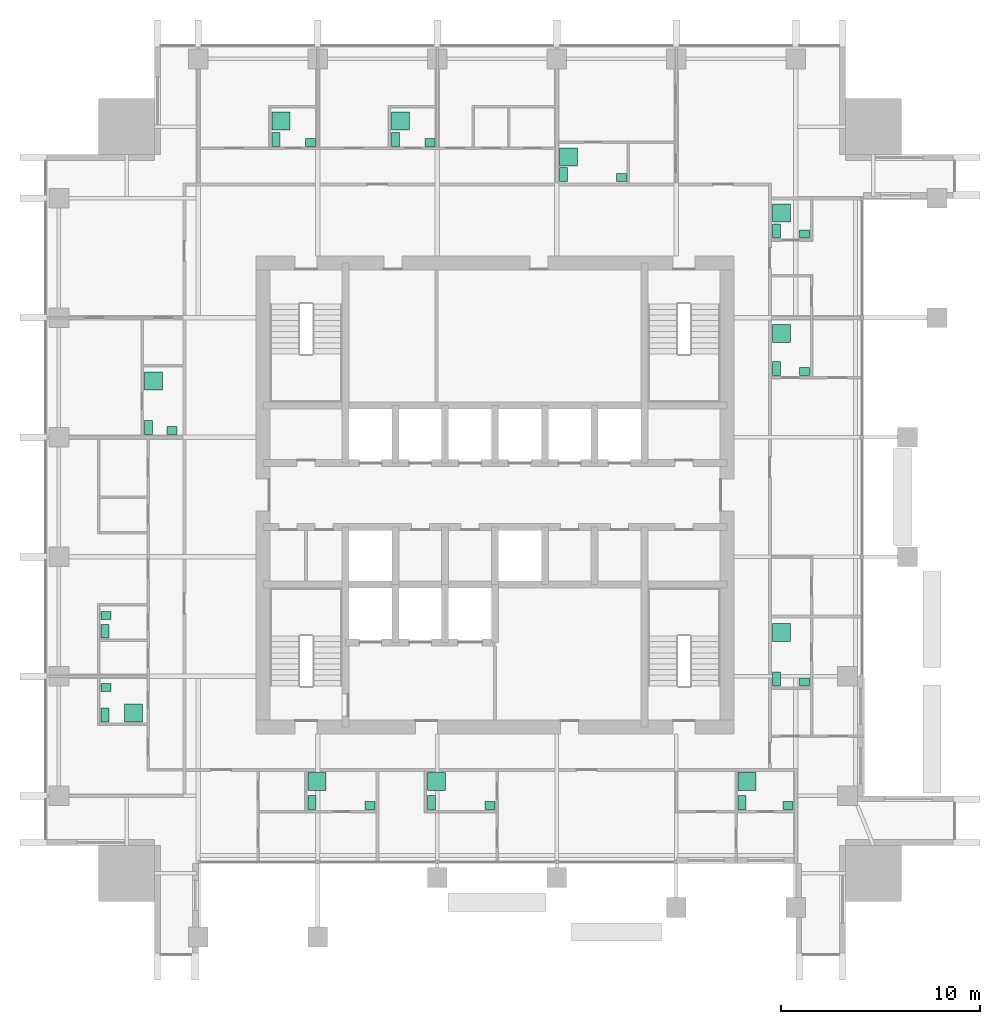
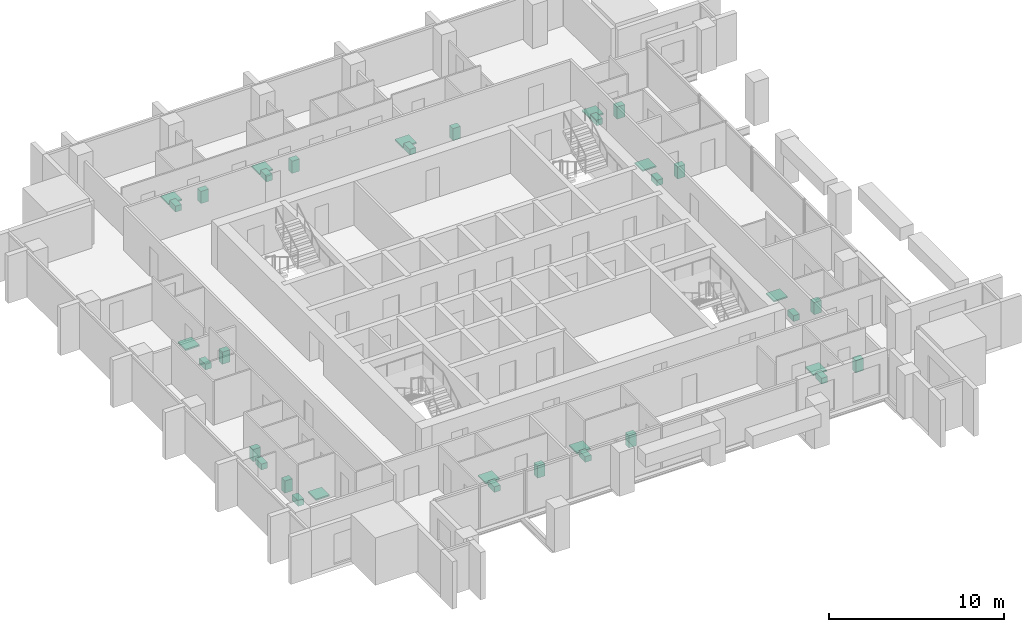
# One storey, part 14 of 14: 35 sanitary terminals.
"""IFC4 building model written with IfcOpenShell, lengths in metres."""

from ifc_helpers import new_model, si_unit, direction, frame, origin, origin_2d, place, context, subcontext, project, spatial, rectangle, extrude, element, save


model = new_model("IFC4")

# Units and contexts
model_context = context("Model", 3, precision=1e-05, world=origin(), true_north=direction((0.0, 1.0)))
body_context = subcontext(model_context, "Body", "Model", "MODEL_VIEW")
ifc_project = project(units=[si_unit("LENGTHUNIT", "METRE"), si_unit("AREAUNIT", "SQUARE_METRE"), si_unit("VOLUMEUNIT", "CUBIC_METRE"), si_unit("PLANEANGLEUNIT", "RADIAN"), si_unit("MASSUNIT", "GRAM", prefix="KILO")], contexts=[model_context])

# Site, building, storey
site_placement = place(None, origin())
site = spatial("IfcSite", under=ifc_project, at=site_placement, CompositionType="ELEMENT")
building_placement = place(site_placement, origin())
building = spatial("IfcBuilding", under=site, at=building_placement, Name="Amberfall Residences", CompositionType="ELEMENT")
storey_placement = place(building_placement, frame((0.0, 0.0, 168.10009765625)))
storey = spatial("IfcBuildingStorey", under=building, at=storey_placement, Name="L45", CompositionType="ELEMENT", Elevation=168.10009765625)

# Sanitary terminals
sanitary_terminal_1_placement = place(storey_placement, frame((65.31005859375, 30.06005859375, 0.0), z_axis=(0.0, 0.0, 1.0), x_axis=(1.0, 0.0, 0.0)))
element("IfcSanitaryTerminal", 1, at=sanitary_terminal_1_placement, inside=storey, Name="Water closet 4501", PredefinedType="TOILETPAN", context=body_context, shape_type="SweptSolid", body=[
    extrude(rectangle(XDim=0.39990234375, YDim=0.699951171875, at=origin_2d()), origin(), (0.0, 0.0, 1.0), 0.39990234375),
])
sanitary_terminal_2_placement = place(storey_placement, frame((68.215087890625, 29.909912109375, -0.000244140625), z_axis=(0.0, 0.0, 1.0), x_axis=(1.0, 0.0, 0.0)))
element("IfcSanitaryTerminal", 2, at=sanitary_terminal_2_placement, inside=storey, Name="Basin 4501", PredefinedType="WASHHANDBASIN", context=body_context, shape_type="SweptSolid", body=[
    extrude(rectangle(XDim=0.5, YDim=0.39990234375, at=origin_2d()), origin(), (0.0, 0.0, 1.0), 0.85009765625),
])
sanitary_terminal_3_placement = place(storey_placement, frame((65.56005859375, 31.114990234375, -0.000244140625), z_axis=(0.0, 0.0, 1.0), x_axis=(1.0, 0.0, 0.0)))
element("IfcSanitaryTerminal", 3, at=sanitary_terminal_3_placement, inside=storey, Name="Shower tray 4501", PredefinedType="SHOWER", context=body_context, shape_type="SweptSolid", body=[
    extrude(rectangle(XDim=0.89990234375, YDim=0.89990234375, at=origin_2d()), origin(), (0.0, 0.0, 1.0), 0.10009765625),
])
sanitary_terminal_4_placement = place(storey_placement, frame((71.31005859375, 30.06005859375, 0.0), z_axis=(0.0, 0.0, 1.0), x_axis=(1.0, 0.0, 0.0)))
element("IfcSanitaryTerminal", 4, at=sanitary_terminal_4_placement, inside=storey, Name="Water closet 4502", PredefinedType="TOILETPAN", context=body_context, shape_type="SweptSolid", body=[
    extrude(rectangle(XDim=0.39990234375, YDim=0.699951171875, at=origin_2d()), origin(), (0.0, 0.0, 1.0), 0.39990234375),
])
sanitary_terminal_5_placement = place(storey_placement, frame((74.239990234375, 29.909912109375, -0.000244140625), z_axis=(0.0, 0.0, 1.0), x_axis=(1.0, 0.0, 0.0)))
element("IfcSanitaryTerminal", 5, at=sanitary_terminal_5_placement, inside=storey, Name="Basin 4502", PredefinedType="WASHHANDBASIN", context=body_context, shape_type="SweptSolid", body=[
    extrude(rectangle(XDim=0.5, YDim=0.39990234375, at=origin_2d()), origin(), (0.0, 0.0, 1.0), 0.85009765625),
])
sanitary_terminal_6_placement = place(storey_placement, frame((71.56005859375, 31.114990234375, -0.000244140625), z_axis=(0.0, 0.0, 1.0), x_axis=(1.0, 0.0, 0.0)))
element("IfcSanitaryTerminal", 6, at=sanitary_terminal_6_placement, inside=storey, Name="Shower tray 4502", PredefinedType="SHOWER", context=body_context, shape_type="SweptSolid", body=[
    extrude(rectangle(XDim=0.89990234375, YDim=0.89990234375, at=origin_2d()), origin(), (0.0, 0.0, 1.0), 0.10009765625),
])
sanitary_terminal_7_placement = place(storey_placement, frame((86.909912109375, 30.06005859375, 0.0), z_axis=(0.0, 0.0, 1.0), x_axis=(1.0, 0.0, 0.0)))
element("IfcSanitaryTerminal", 7, at=sanitary_terminal_7_placement, inside=storey, Name="Water closet 4502", PredefinedType="TOILETPAN", context=body_context, shape_type="SweptSolid", body=[
    extrude(rectangle(XDim=0.39990234375, YDim=0.699951171875, at=origin_2d()), origin(), (0.0, 0.0, 1.0), 0.39990234375),
])
sanitary_terminal_8_placement = place(storey_placement, frame((89.215087890625, 29.909912109375, -0.000244140625), z_axis=(0.0, 0.0, 1.0), x_axis=(1.0, 0.0, 0.0)))
element("IfcSanitaryTerminal", 8, at=sanitary_terminal_8_placement, inside=storey, Name="Basin 4502", PredefinedType="WASHHANDBASIN", context=body_context, shape_type="SweptSolid", body=[
    extrude(rectangle(XDim=0.5, YDim=0.39990234375, at=origin_2d()), origin(), (0.0, 0.0, 1.0), 0.85009765625),
])
sanitary_terminal_9_placement = place(storey_placement, frame((87.159912109375, 31.114990234375, -0.000244140625), z_axis=(0.0, 0.0, 1.0), x_axis=(1.0, 0.0, 0.0)))
element("IfcSanitaryTerminal", 9, at=sanitary_terminal_9_placement, inside=storey, Name="Shower tray 4502", PredefinedType="SHOWER", context=body_context, shape_type="SweptSolid", body=[
    extrude(rectangle(XDim=0.89990234375, YDim=0.89990234375, at=origin_2d()), origin(), (0.0, 0.0, 1.0), 0.10009765625),
])
sanitary_terminal_10_placement = place(storey_placement, frame((88.635009765625, 36.260009765625, 0.0), z_axis=(0.0, 0.0, 1.0), x_axis=(1.0, 0.0, 0.0)))
element("IfcSanitaryTerminal", 10, at=sanitary_terminal_10_placement, inside=storey, Name="Water closet 4503", PredefinedType="TOILETPAN", context=body_context, shape_type="SweptSolid", body=[
    extrude(rectangle(XDim=0.39990234375, YDim=0.699951171875, at=origin_2d()), origin(), (0.0, 0.0, 1.0), 0.39990234375),
])
sanitary_terminal_11_placement = place(storey_placement, frame((90.0400390625, 36.110107421875, -0.000244140625), z_axis=(0.0, 0.0, 1.0), x_axis=(1.0, 0.0, 0.0)))
element("IfcSanitaryTerminal", 11, at=sanitary_terminal_11_placement, inside=storey, Name="Basin 4503", PredefinedType="WASHHANDBASIN", context=body_context, shape_type="SweptSolid", body=[
    extrude(rectangle(XDim=0.5, YDim=0.39990234375, at=origin_2d()), origin(), (0.0, 0.0, 1.0), 0.85009765625),
])
sanitary_terminal_12_placement = place(storey_placement, frame((88.885009765625, 38.591796875, -0.000244140625), z_axis=(0.0, 0.0, 1.0), x_axis=(1.0, 0.0, 0.0)))
element("IfcSanitaryTerminal", 12, at=sanitary_terminal_12_placement, inside=storey, Name="Shower tray 4503", PredefinedType="SHOWER", context=body_context, shape_type="SweptSolid", body=[
    extrude(rectangle(XDim=0.89990234375, YDim=0.89990234375, at=origin_2d()), origin(), (0.0, 0.0, 1.0), 0.10009765625),
])
sanitary_terminal_13_placement = place(storey_placement, frame((88.635009765625, 51.860107421875, 0.0), z_axis=(0.0, 0.0, 1.0), x_axis=(1.0, 0.0, 0.0)))
element("IfcSanitaryTerminal", 13, at=sanitary_terminal_13_placement, inside=storey, Name="Water closet 4504", PredefinedType="TOILETPAN", context=body_context, shape_type="SweptSolid", body=[
    extrude(rectangle(XDim=0.39990234375, YDim=0.699951171875, at=origin_2d()), origin(), (0.0, 0.0, 1.0), 0.39990234375),
])
sanitary_terminal_14_placement = place(storey_placement, frame((90.0400390625, 51.7099609375, -0.000244140625), z_axis=(0.0, 0.0, 1.0), x_axis=(1.0, 0.0, 0.0)))
element("IfcSanitaryTerminal", 14, at=sanitary_terminal_14_placement, inside=storey, Name="Basin 4504", PredefinedType="WASHHANDBASIN", context=body_context, shape_type="SweptSolid", body=[
    extrude(rectangle(XDim=0.5, YDim=0.39990234375, at=origin_2d()), origin(), (0.0, 0.0, 1.0), 0.85009765625),
])
sanitary_terminal_15_placement = place(storey_placement, frame((88.885009765625, 53.60888671875, -0.000244140625), z_axis=(0.0, 0.0, 1.0), x_axis=(1.0, 0.0, 0.0)))
element("IfcSanitaryTerminal", 15, at=sanitary_terminal_15_placement, inside=storey, Name="Shower tray 4504", PredefinedType="SHOWER", context=body_context, shape_type="SweptSolid", body=[
    extrude(rectangle(XDim=0.89990234375, YDim=0.89990234375, at=origin_2d()), origin(), (0.0, 0.0, 1.0), 0.10009765625),
])
sanitary_terminal_16_placement = place(storey_placement, frame((88.635009765625, 58.760009765625, 0.0), z_axis=(0.0, 0.0, 1.0), x_axis=(1.0, 0.0, 0.0)))
element("IfcSanitaryTerminal", 16, at=sanitary_terminal_16_placement, inside=storey, Name="Water closet 4505", PredefinedType="TOILETPAN", context=body_context, shape_type="SweptSolid", body=[
    extrude(rectangle(XDim=0.39990234375, YDim=0.699951171875, at=origin_2d()), origin(), (0.0, 0.0, 1.0), 0.39990234375),
])
sanitary_terminal_17_placement = place(storey_placement, frame((90.0400390625, 58.610107421875, -0.000244140625), z_axis=(0.0, 0.0, 1.0), x_axis=(1.0, 0.0, 0.0)))
element("IfcSanitaryTerminal", 17, at=sanitary_terminal_17_placement, inside=storey, Name="Basin 4505", PredefinedType="WASHHANDBASIN", context=body_context, shape_type="SweptSolid", body=[
    extrude(rectangle(XDim=0.5, YDim=0.39990234375, at=origin_2d()), origin(), (0.0, 0.0, 1.0), 0.85009765625),
])
sanitary_terminal_18_placement = place(storey_placement, frame((88.885009765625, 59.65576171875, -0.000244140625), z_axis=(0.0, 0.0, 1.0), x_axis=(1.0, 0.0, 0.0)))
element("IfcSanitaryTerminal", 18, at=sanitary_terminal_18_placement, inside=storey, Name="Shower tray 4505", PredefinedType="SHOWER", context=body_context, shape_type="SweptSolid", body=[
    extrude(rectangle(XDim=0.89990234375, YDim=0.89990234375, at=origin_2d()), origin(), (0.0, 0.0, 1.0), 0.10009765625),
])
sanitary_terminal_19_placement = place(storey_placement, frame((63.510009765625, 63.360107421875, 0.0), z_axis=(0.0, 0.0, 1.0), x_axis=(1.0, 0.0, 0.0)))
element("IfcSanitaryTerminal", 19, at=sanitary_terminal_19_placement, inside=storey, Name="Water closet 4506", PredefinedType="TOILETPAN", context=body_context, shape_type="SweptSolid", body=[
    extrude(rectangle(XDim=0.39990234375, YDim=0.699951171875, at=origin_2d()), origin(), (0.0, 0.0, 1.0), 0.39990234375),
])
sanitary_terminal_20_placement = place(storey_placement, frame((65.239990234375, 63.2099609375, -0.000244140625), z_axis=(0.0, 0.0, 1.0), x_axis=(1.0, 0.0, 0.0)))
element("IfcSanitaryTerminal", 20, at=sanitary_terminal_20_placement, inside=storey, Name="Basin 4506", PredefinedType="WASHHANDBASIN", context=body_context, shape_type="SweptSolid", body=[
    extrude(rectangle(XDim=0.5, YDim=0.39990234375, at=origin_2d()), origin(), (0.0, 0.0, 1.0), 0.85009765625),
])
sanitary_terminal_21_placement = place(storey_placement, frame((63.760009765625, 64.276611328125, -0.000244140625), z_axis=(0.0, 0.0, 1.0), x_axis=(1.0, 0.0, 0.0)))
element("IfcSanitaryTerminal", 21, at=sanitary_terminal_21_placement, inside=storey, Name="Shower tray 4506", PredefinedType="SHOWER", context=body_context, shape_type="SweptSolid", body=[
    extrude(rectangle(XDim=0.89990234375, YDim=0.89990234375, at=origin_2d()), origin(), (0.0, 0.0, 1.0), 0.10009765625),
])
sanitary_terminal_22_placement = place(storey_placement, frame((69.510009765625, 63.360107421875, 0.0), z_axis=(0.0, 0.0, 1.0), x_axis=(1.0, 0.0, 0.0)))
element("IfcSanitaryTerminal", 22, at=sanitary_terminal_22_placement, inside=storey, Name="Water closet 4506", PredefinedType="TOILETPAN", context=body_context, shape_type="SweptSolid", body=[
    extrude(rectangle(XDim=0.39990234375, YDim=0.699951171875, at=origin_2d()), origin(), (0.0, 0.0, 1.0), 0.39990234375),
])
sanitary_terminal_23_placement = place(storey_placement, frame((71.239990234375, 63.2099609375, -0.000244140625), z_axis=(0.0, 0.0, 1.0), x_axis=(1.0, 0.0, 0.0)))
element("IfcSanitaryTerminal", 23, at=sanitary_terminal_23_placement, inside=storey, Name="Basin 4506", PredefinedType="WASHHANDBASIN", context=body_context, shape_type="SweptSolid", body=[
    extrude(rectangle(XDim=0.5, YDim=0.39990234375, at=origin_2d()), origin(), (0.0, 0.0, 1.0), 0.85009765625),
])
sanitary_terminal_24_placement = place(storey_placement, frame((69.760009765625, 64.276611328125, -0.000244140625), z_axis=(0.0, 0.0, 1.0), x_axis=(1.0, 0.0, 0.0)))
element("IfcSanitaryTerminal", 24, at=sanitary_terminal_24_placement, inside=storey, Name="Shower tray 4506", PredefinedType="SHOWER", context=body_context, shape_type="SweptSolid", body=[
    extrude(rectangle(XDim=0.89990234375, YDim=0.89990234375, at=origin_2d()), origin(), (0.0, 0.0, 1.0), 0.10009765625),
])
sanitary_terminal_25_placement = place(storey_placement, frame((77.93505859375, 61.5849609375, 0.0), z_axis=(0.0, 0.0, 1.0), x_axis=(1.0, 0.0, 0.0)))
element("IfcSanitaryTerminal", 25, at=sanitary_terminal_25_placement, inside=storey, Name="Water closet 4507", PredefinedType="TOILETPAN", context=body_context, shape_type="SweptSolid", body=[
    extrude(rectangle(XDim=0.39990234375, YDim=0.699951171875, at=origin_2d()), origin(), (0.0, 0.0, 1.0), 0.39990234375),
])
sanitary_terminal_26_placement = place(storey_placement, frame((80.840087890625, 61.43505859375, -0.000244140625), z_axis=(0.0, 0.0, 1.0), x_axis=(1.0, 0.0, 0.0)))
element("IfcSanitaryTerminal", 26, at=sanitary_terminal_26_placement, inside=storey, Name="Basin 4507", PredefinedType="WASHHANDBASIN", context=body_context, shape_type="SweptSolid", body=[
    extrude(rectangle(XDim=0.5, YDim=0.39990234375, at=origin_2d()), origin(), (0.0, 0.0, 1.0), 0.85009765625),
])
sanitary_terminal_27_placement = place(storey_placement, frame((78.18505859375, 62.480712890625, -0.000244140625), z_axis=(0.0, 0.0, 1.0), x_axis=(1.0, 0.0, 0.0)))
element("IfcSanitaryTerminal", 27, at=sanitary_terminal_27_placement, inside=storey, Name="Shower tray 4507", PredefinedType="SHOWER", context=body_context, shape_type="SweptSolid", body=[
    extrude(rectangle(XDim=0.89990234375, YDim=0.89990234375, at=origin_2d()), origin(), (0.0, 0.0, 1.0), 0.10009765625),
])
sanitary_terminal_28_placement = place(storey_placement, frame((54.909912109375, 38.659912109375, 0.0), z_axis=(0.0, 0.0, 1.0), x_axis=(1.0, 0.0, 0.0)))
element("IfcSanitaryTerminal", 28, at=sanitary_terminal_28_placement, inside=storey, Name="Water closet 4508 1", PredefinedType="TOILETPAN", context=body_context, shape_type="SweptSolid", body=[
    extrude(rectangle(XDim=0.39990234375, YDim=0.699951171875, at=origin_2d()), origin(), (0.0, 0.0, 1.0), 0.39990234375),
])
sanitary_terminal_29_placement = place(storey_placement, frame((54.9599609375, 39.4541015625, -0.000244140625), z_axis=(0.0, 0.0, 1.0), x_axis=(1.0, 0.0, 0.0)))
element("IfcSanitaryTerminal", 29, at=sanitary_terminal_29_placement, inside=storey, Name="Basin 4508 1", PredefinedType="WASHHANDBASIN", context=body_context, shape_type="SweptSolid", body=[
    extrude(rectangle(XDim=0.5, YDim=0.39990234375, at=origin_2d()), origin(), (0.0, 0.0, 1.0), 0.85009765625),
])
sanitary_terminal_30_placement = place(storey_placement, frame((54.909912109375, 34.4599609375, 0.0), z_axis=(0.0, 0.0, 1.0), x_axis=(1.0, 0.0, 0.0)))
element("IfcSanitaryTerminal", 30, at=sanitary_terminal_30_placement, inside=storey, Name="Water closet 4508", PredefinedType="TOILETPAN", context=body_context, shape_type="SweptSolid", body=[
    extrude(rectangle(XDim=0.39990234375, YDim=0.699951171875, at=origin_2d()), origin(), (0.0, 0.0, 1.0), 0.39990234375),
])
sanitary_terminal_31_placement = place(storey_placement, frame((54.9599609375, 35.835693359375, -0.000244140625), z_axis=(0.0, 0.0, 1.0), x_axis=(1.0, 0.0, 0.0)))
element("IfcSanitaryTerminal", 31, at=sanitary_terminal_31_placement, inside=storey, Name="Basin 4508", PredefinedType="WASHHANDBASIN", context=body_context, shape_type="SweptSolid", body=[
    extrude(rectangle(XDim=0.5, YDim=0.39990234375, at=origin_2d()), origin(), (0.0, 0.0, 1.0), 0.85009765625),
])
sanitary_terminal_32_placement = place(storey_placement, frame((56.3427734375, 34.56005859375, -0.000244140625), z_axis=(0.0, 0.0, 1.0), x_axis=(1.0, 0.0, 0.0)))
element("IfcSanitaryTerminal", 32, at=sanitary_terminal_32_placement, inside=storey, Name="Shower tray 4508", PredefinedType="SHOWER", context=body_context, shape_type="SweptSolid", body=[
    extrude(rectangle(XDim=0.89990234375, YDim=0.89990234375, at=origin_2d()), origin(), (0.0, 0.0, 1.0), 0.10009765625),
])
sanitary_terminal_33_placement = place(storey_placement, frame((57.110107421875, 48.885009765625, 0.0), z_axis=(0.0, 0.0, 1.0), x_axis=(1.0, 0.0, 0.0)))
element("IfcSanitaryTerminal", 33, at=sanitary_terminal_33_placement, inside=storey, Name="Water closet 4509", PredefinedType="TOILETPAN", context=body_context, shape_type="SweptSolid", body=[
    extrude(rectangle(XDim=0.39990234375, YDim=0.699951171875, at=origin_2d()), origin(), (0.0, 0.0, 1.0), 0.39990234375),
])
sanitary_terminal_34_placement = place(storey_placement, frame((58.2890625, 48.735107421875, -0.000244140625), z_axis=(0.0, 0.0, 1.0), x_axis=(1.0, 0.0, 0.0)))
element("IfcSanitaryTerminal", 34, at=sanitary_terminal_34_placement, inside=storey, Name="Basin 4509", PredefinedType="WASHHANDBASIN", context=body_context, shape_type="SweptSolid", body=[
    extrude(rectangle(XDim=0.5, YDim=0.39990234375, at=origin_2d()), origin(), (0.0, 0.0, 1.0), 0.85009765625),
])
sanitary_terminal_35_placement = place(storey_placement, frame((57.360107421875, 51.216796875, -0.000244140625), z_axis=(0.0, 0.0, 1.0), x_axis=(1.0, 0.0, 0.0)))
element("IfcSanitaryTerminal", 35, at=sanitary_terminal_35_placement, inside=storey, Name="Shower tray 4509", PredefinedType="SHOWER", context=body_context, shape_type="SweptSolid", body=[
    extrude(rectangle(XDim=0.89990234375, YDim=0.89990234375, at=origin_2d()), origin(), (0.0, 0.0, 1.0), 0.10009765625),
])

save(model, "model.ifc")
